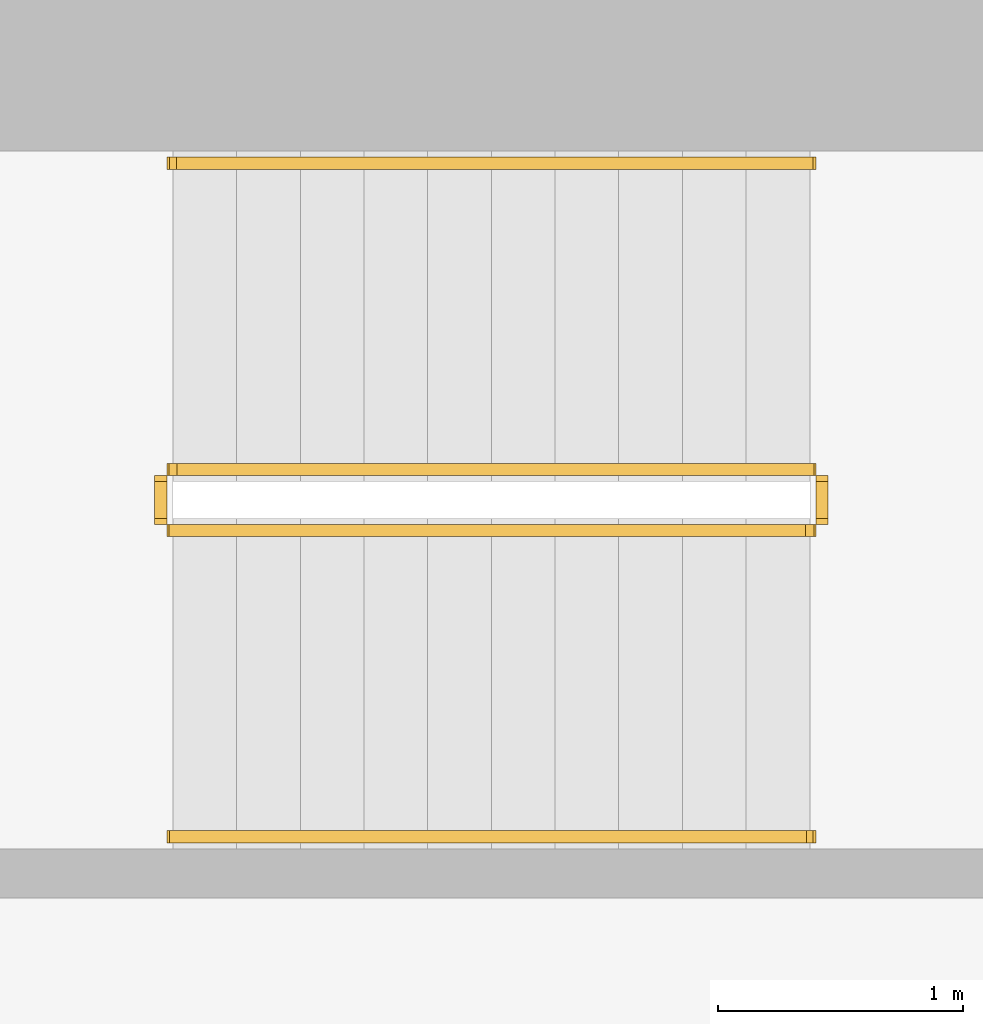
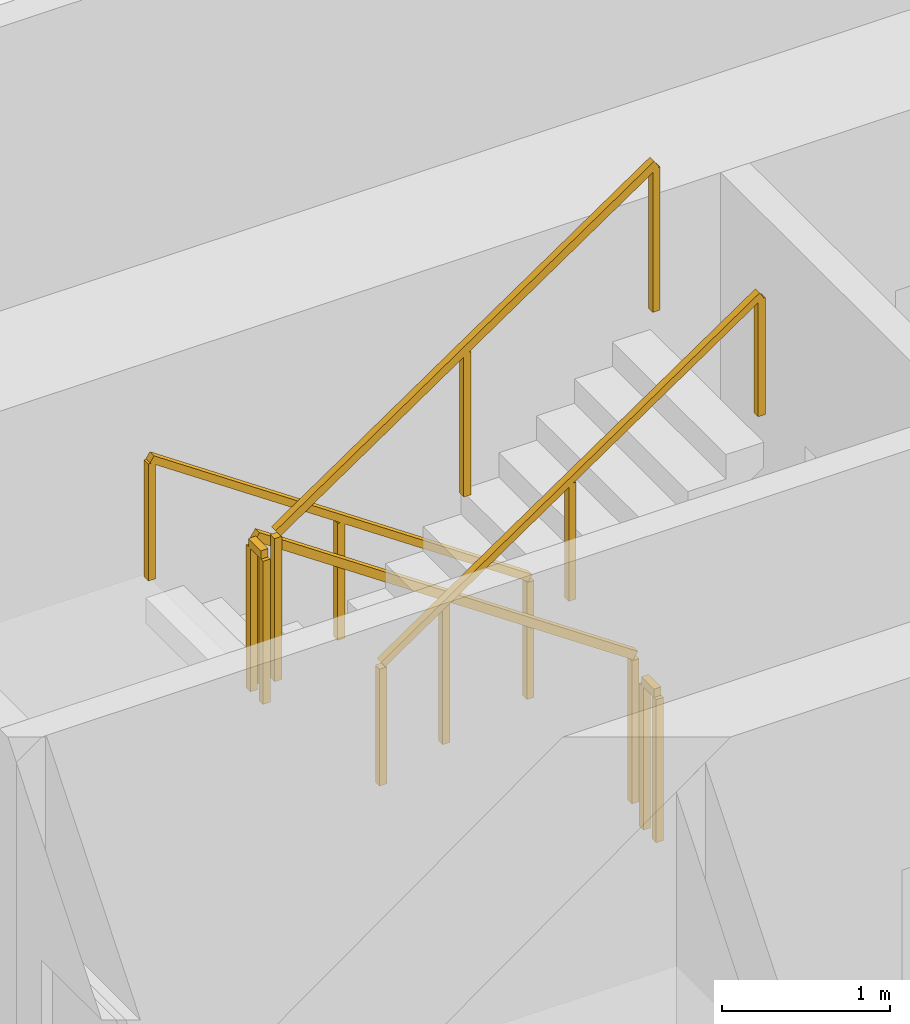
# One storey, part 14 of 15: 6 railings.
"""IFC4 building model written with IfcOpenShell, lengths in metres."""

from ifc_helpers import new_model, si_unit, direction, frame, origin, origin_2d, place, context, subcontext, project, spatial, rectangle, extrude, material, type_object, element, save


model = new_model("IFC4")

# Units and contexts
model_context = context("Model", 3, precision=1e-05, world=origin(), true_north=direction((0.0, 1.0)))
body_context = subcontext(model_context, "Body", "Model", "MODEL_VIEW")
ifc_project = project(units=[si_unit("LENGTHUNIT", "METRE"), si_unit("AREAUNIT", "SQUARE_METRE"), si_unit("VOLUMEUNIT", "CUBIC_METRE"), si_unit("PLANEANGLEUNIT", "RADIAN"), si_unit("MASSUNIT", "GRAM", prefix="KILO")], contexts=[model_context])

# Site, building, storey
site_placement = place(None, origin())
site = spatial("IfcSite", under=ifc_project, at=site_placement, CompositionType="ELEMENT")
building_placement = place(site_placement, origin())
building = spatial("IfcBuilding", under=site, at=building_placement, Name="Khepri Terraces", CompositionType="ELEMENT")
storey_placement = place(building_placement, frame((0.0, 0.0, 196.199951171875)))
storey = spatial("IfcBuildingStorey", under=building, at=storey_placement, Name="L46", CompositionType="ELEMENT", Elevation=196.199951171875)

# Railings
ifc_material = material(Name="Stainless steel 316", Category="steel")
railing_type_1 = type_object("IfcRailingType", Name="RL-CORE-GUARD", PredefinedType="GUARDRAIL", material=ifc_material)
railing_1_placement = place(storey_placement, frame((-0.25, 8.800048828125, 0.17724609375)))
element("IfcRailing", 1, at=railing_1_placement, inside=storey, type_object=railing_type_1, Name="L46 ST-3 stair guard 1", PredefinedType="GUARDRAIL", context=body_context, shape_type="SweptSolid", body=[
    extrude(rectangle(XDim=0.050048828125, YDim=0.06005859375, at=origin_2d()), frame((0.0, 0.0, 1.070068359375), z_axis=(-0.826240473404, 0.0, 0.563317565952), x_axis=(0.0, -1.0, 0.0)), (0.0, 0.0, 1.0), 3.14697265625),
    extrude(rectangle(XDim=0.050048828125, YDim=0.050048828125, at=origin_2d()), origin(), (0.0, 0.0, 1.0), 1.0400390625),
    extrude(rectangle(XDim=0.050048828125, YDim=0.050048828125, at=origin_2d()), frame((-1.300048828125, 0.0, 0.88623046875)), (0.0, 0.0, 1.0), 1.0400390625),
    extrude(rectangle(XDim=0.050048828125, YDim=0.050048828125, at=origin_2d()), frame((-2.60009765625, 0.0, 1.772705078125)), (0.0, 0.0, 1.0), 1.0400390625),
])
railing_2_placement = place(storey_placement, frame((-2.89990234375, 8.75, 1.949951171875)))
element("IfcRailing", 2, at=railing_2_placement, inside=storey, type_object=railing_type_1, Name="L46 ST-3 stair guard 2", PredefinedType="GUARDRAIL", context=body_context, shape_type="SweptSolid", body=[
    extrude(rectangle(XDim=0.050048828125, YDim=0.06005859375, at=origin_2d()), frame((0.0, 0.0, 1.070068359375), z_axis=(0.0, -1.0, 0.0), x_axis=(1.0, 0.0, 0.0)), (0.0, 0.0, 1.0), 0.14990234375),
    extrude(rectangle(XDim=0.050048828125, YDim=0.050048828125, at=origin_2d()), origin(), (0.0, 0.0, 1.0), 1.0400390625),
    extrude(rectangle(XDim=0.050048828125, YDim=0.050048828125, at=origin_2d()), frame((0.0, -0.14990234375, 0.0)), (0.0, 0.0, 1.0), 1.0400390625),
])
railing_3_placement = place(storey_placement, frame((-2.85009765625, 8.550048828125, 2.12744140625)))
element("IfcRailing", 3, at=railing_3_placement, inside=storey, type_object=railing_type_1, Name="L46 ST-3 stair guard 3", PredefinedType="GUARDRAIL", context=body_context, shape_type="SweptSolid", body=[
    extrude(rectangle(XDim=0.050048828125, YDim=0.06005859375, at=origin_2d()), frame((0.0, 0.0, 1.070068359375), z_axis=(0.826240473404, 0.0, 0.563317565952), x_axis=(0.0, 1.0, 0.0)), (0.0, 0.0, 1.0), 3.14697265625),
    extrude(rectangle(XDim=0.050048828125, YDim=0.050048828125, at=origin_2d()), origin(), (0.0, 0.0, 1.0), 1.0400390625),
    extrude(rectangle(XDim=0.050048828125, YDim=0.050048828125, at=origin_2d()), frame((1.300048828125, 0.0, 0.88623046875)), (0.0, 0.0, 1.0), 1.0400390625),
    extrude(rectangle(XDim=0.050048828125, YDim=0.050048828125, at=origin_2d()), frame((2.60009765625, 0.0, 1.772705078125)), (0.0, 0.0, 1.0), 1.0400390625),
])
railing_4_placement = place(storey_placement, frame((-0.199951171875, 8.75, 0.0)))
element("IfcRailing", 4, at=railing_4_placement, inside=storey, type_object=railing_type_1, Name="L46 ST-3 stair guard 4", PredefinedType="GUARDRAIL", context=body_context, shape_type="SweptSolid", body=[
    extrude(rectangle(XDim=0.050048828125, YDim=0.06005859375, at=origin_2d()), frame((0.0, 0.0, 1.070068359375), z_axis=(0.0, -1.0, 0.0), x_axis=(1.0, 0.0, 0.0)), (0.0, 0.0, 1.0), 0.14990234375),
    extrude(rectangle(XDim=0.050048828125, YDim=0.050048828125, at=origin_2d()), origin(), (0.0, 0.0, 1.0), 1.0400390625),
    extrude(rectangle(XDim=0.050048828125, YDim=0.050048828125, at=origin_2d()), frame((0.0, -0.14990234375, 0.0)), (0.0, 0.0, 1.0), 1.0400390625),
])
railing_type_2 = type_object("IfcRailingType", Name="RL-CORE-HANDRAIL", PredefinedType="HANDRAIL", material=ifc_material)
railing_5_placement = place(storey_placement, frame((-0.25, 10.050048828125, 0.17724609375)))
element("IfcRailing", 5, at=railing_5_placement, inside=storey, type_object=railing_type_2, Name="L46 ST-3 stair handrail 1", PredefinedType="HANDRAIL", context=body_context, shape_type="SweptSolid", body=[
    extrude(rectangle(XDim=0.050048828125, YDim=0.050048828125, at=origin_2d()), frame((0.0, 0.0, 0.875), z_axis=(-0.826240473404, 0.0, 0.563317565952), x_axis=(0.0, -1.0, 0.0)), (0.0, 0.0, 1.0), 3.14697265625),
    extrude(rectangle(XDim=0.050048828125, YDim=0.050048828125, at=origin_2d()), origin(), (0.0, 0.0, 1.0), 0.849853515625),
    extrude(rectangle(XDim=0.050048828125, YDim=0.050048828125, at=origin_2d()), frame((-1.300048828125, 0.0, 0.88623046875)), (0.0, 0.0, 1.0), 0.849853515625),
    extrude(rectangle(XDim=0.050048828125, YDim=0.050048828125, at=origin_2d()), frame((-2.60009765625, 0.0, 1.772705078125)), (0.0, 0.0, 1.0), 0.849853515625),
])
railing_6_placement = place(storey_placement, frame((-2.85009765625, 7.300048828125, 2.12744140625)))
element("IfcRailing", 6, at=railing_6_placement, inside=storey, type_object=railing_type_2, Name="L46 ST-3 stair handrail 2", PredefinedType="HANDRAIL", context=body_context, shape_type="SweptSolid", body=[
    extrude(rectangle(XDim=0.050048828125, YDim=0.050048828125, at=origin_2d()), frame((0.0, 0.0, 0.875), z_axis=(0.826240473404, 0.0, 0.563317565952), x_axis=(0.0, 1.0, 0.0)), (0.0, 0.0, 1.0), 3.14697265625),
    extrude(rectangle(XDim=0.050048828125, YDim=0.050048828125, at=origin_2d()), origin(), (0.0, 0.0, 1.0), 0.849853515625),
    extrude(rectangle(XDim=0.050048828125, YDim=0.050048828125, at=origin_2d()), frame((1.300048828125, 0.0, 0.88623046875)), (0.0, 0.0, 1.0), 0.849853515625),
    extrude(rectangle(XDim=0.050048828125, YDim=0.050048828125, at=origin_2d()), frame((2.60009765625, 0.0, 1.772705078125)), (0.0, 0.0, 1.0), 0.849853515625),
])

save(model, "model.ifc")
